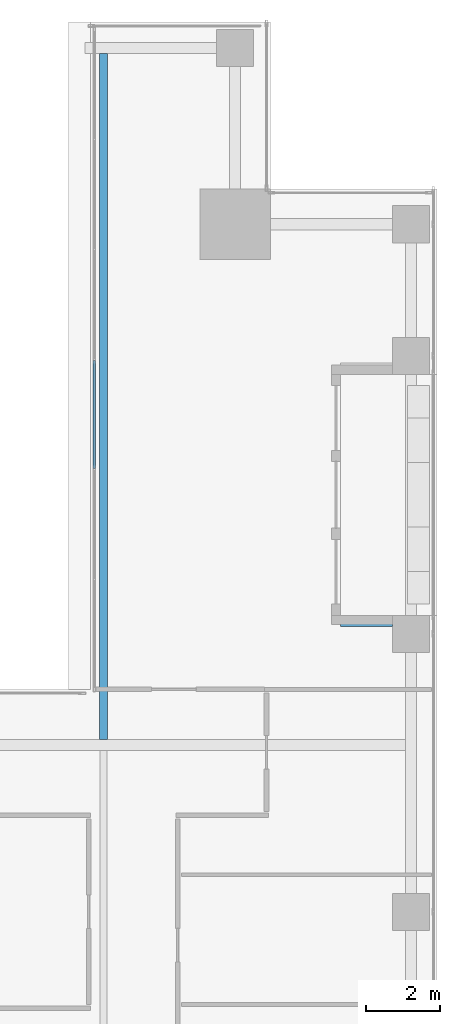
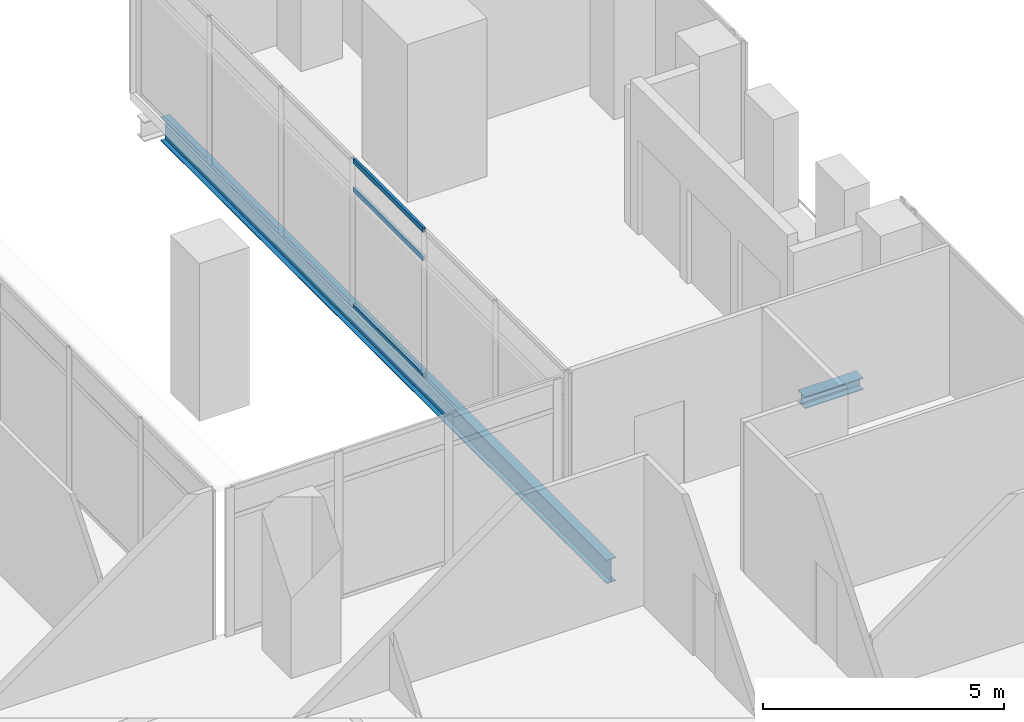
# One storey, part 25 of 40: 3 members, 2 beams, 1 element without a shape of its own.
"""IFC4 building model written with IfcOpenShell, lengths in metres."""

from ifc_helpers import new_model, si_unit, direction, frame, origin, origin_2d, place, context, subcontext, project, spatial, hollow_rectangle, i_section, extrude, source, transform, mapped, material, material_profile, profile_set, type_object, element, aggregate, save


model = new_model("IFC4")

# Units and contexts
model_context = context("Model", 3, precision=1e-05, world=origin(), true_north=direction((0.0, 1.0)))
body_context = subcontext(model_context, "Body", "Model", "MODEL_VIEW")
ifc_project = project(units=[si_unit("LENGTHUNIT", "METRE"), si_unit("AREAUNIT", "SQUARE_METRE"), si_unit("VOLUMEUNIT", "CUBIC_METRE"), si_unit("PLANEANGLEUNIT", "RADIAN"), si_unit("MASSUNIT", "GRAM", prefix="KILO")], contexts=[model_context])

# Site, building, storey
site_placement = place(None, origin())
site = spatial("IfcSite", under=ifc_project, at=site_placement, CompositionType="ELEMENT")
building_placement = place(site_placement, origin())
building = spatial("IfcBuilding", under=site, at=building_placement, Name="Khomas Fold Tower", CompositionType="ELEMENT")
storey_placement = place(building_placement, frame((0.0, 0.0, 180.699951171875)))
storey = spatial("IfcBuildingStorey", under=building, at=storey_placement, Name="L39", CompositionType="ELEMENT", Elevation=180.699951171875)

# Beams
ifc_material_1 = material(Name="Steel S355", Category="steel")
ifc_material_profile_1 = material_profile(ifc_material_1, i_section(OverallWidth=0.300048828125, OverallDepth=0.300048828125, WebThickness=0.010986328125, FlangeThickness=0.01904296875, at=origin_2d()), Name="HE 300 B")
ifc_profile_set_1 = profile_set([ifc_material_profile_1], Name="Steel S355")
beam_type_1 = type_object("IfcBeamType", Name="HE 300 B beam BB1", PredefinedType="BEAM", material=ifc_profile_set_1)
shared_shape_1 = source(origin(), body_context, "Body", "SweptSolid", [
    extrude(i_section(OverallWidth=0.300048828125, OverallDepth=0.300048828125, WebThickness=0.010986328125, FlangeThickness=0.01904296875, at=origin_2d()), origin(), (0.0, 0.0, 1.0), 1.400146484375),
])
beam_1_placement = place(storey_placement, frame((48.39990234375, 34.85009765625, -0.39990234375), z_axis=(1.0, 0.0, 0.0), x_axis=(0.0, 1.0, 0.0)))
element("IfcBeam", 1, at=beam_1_placement, inside=storey, type_object=beam_type_1, Name="BB1", PredefinedType="BEAM", context=body_context, shape_type="MappedRepresentation", body=[
    mapped(shared_shape_1, transform((0.0, 0.0, 0.0))),
])
ifc_material_2 = material(Name="Steel S355", Category="steel")
ifc_material_profile_2 = material_profile(ifc_material_2, i_section(OverallWidth=0.219970703125, OverallDepth=0.60009765625, WebThickness=0.011962890625, FlangeThickness=0.01904296875, at=origin_2d()), Name="IPE 600")
ifc_profile_set_2 = profile_set([ifc_material_profile_2], Name="Steel S355")
beam_type_2 = type_object("IfcBeamType", Name="IPE 600 beam JB7", PredefinedType="BEAM", material=ifc_profile_set_2)
shared_shape_2 = source(origin(), body_context, "Body", "SweptSolid", [
    extrude(i_section(OverallWidth=0.219970703125, OverallDepth=0.60009765625, WebThickness=0.011962890625, FlangeThickness=0.01904296875, at=origin_2d()), origin(), (0.0, 0.0, 1.0), 18.5),
])
beam_2_placement = place(storey_placement, frame((42.0, 31.64990234375, -0.550048828125), z_axis=(0.0, 1.0, 0.0), x_axis=(-1.0, 0.0, 0.0)))
element("IfcBeam", 2, at=beam_2_placement, inside=storey, type_object=beam_type_2, Name="JB7", PredefinedType="BEAM", context=body_context, shape_type="MappedRepresentation", body=[
    mapped(shared_shape_2, transform((0.0, 0.0, 0.0))),
])

# Curtain wall, members
ifc_material_3 = material(Name="Aluminium framed double glazing", Category="aluminium")
curtain_wall_type = type_object("IfcCurtainWallType", Name="Notch glazing GN-CW", PredefinedType="NOTDEFINED", material=ifc_material_3)
curtain_wall_placement = place(storey_placement, origin())
curtain_wall = element("IfcCurtainWall", 3, at=curtain_wall_placement, inside=storey, type_object=curtain_wall_type, Name="Notch glazing run", PredefinedType="NOTDEFINED")
ifc_material_4 = material(Name="Aluminium", Category="aluminium")
ifc_material_profile_3 = material_profile(ifc_material_4, hollow_rectangle(XDim=0.06005859375, YDim=0.1201171875, WallThickness=0.00390625, at=origin_2d()), Name="Notch glazing transom GN-CW-T")
ifc_profile_set_3 = profile_set([ifc_material_profile_3], Name="Aluminium")
member_type = type_object("IfcMemberType", Name="Notch glazing transom GN-CW-T", PredefinedType="USERDEFINED", material=ifc_profile_set_3)
shared_shape_3 = source(origin(), body_context, "Body", "SweptSolid", [
    extrude(hollow_rectangle(XDim=0.06005859375, YDim=0.1201171875, WallThickness=0.00390625, at=origin_2d()), origin(), (0.0, 0.0, 1.0), 2.90673828125),
])
member_1_placement = place(storey_placement, frame((41.75, 41.8701171875, 0.030029296875), z_axis=(0.0, -1.0, 0.0), x_axis=(1.0, 0.0, 0.0)))
member_1 = element("IfcMember", 4, at=member_1_placement, type_object=member_type, Name="GN-CW transom 4.1", ObjectType="TRANSOM", PredefinedType="USERDEFINED", context=body_context, shape_type="MappedRepresentation", body=[
    mapped(shared_shape_3, transform((0.0, 0.0, 0.0))),
])
member_2_placement = place(storey_placement, frame((41.75, 41.8701171875, 3.0), z_axis=(0.0, -1.0, 0.0), x_axis=(1.0, 0.0, 0.0)))
member_2 = element("IfcMember", 5, at=member_2_placement, type_object=member_type, Name="GN-CW transom 4.2", ObjectType="TRANSOM", PredefinedType="USERDEFINED", context=body_context, shape_type="MappedRepresentation", body=[
    mapped(shared_shape_3, transform((0.0, 0.0, 0.0))),
])
member_3_placement = place(storey_placement, frame((41.75, 41.8701171875, 3.719970703125), z_axis=(0.0, -1.0, 0.0), x_axis=(1.0, 0.0, 0.0)))
member_3 = element("IfcMember", 6, at=member_3_placement, type_object=member_type, Name="GN-CW transom 4.3", ObjectType="TRANSOM", PredefinedType="USERDEFINED", context=body_context, shape_type="MappedRepresentation", body=[
    mapped(shared_shape_3, transform((0.0, 0.0, 0.0))),
])
aggregate(curtain_wall, [member_1, member_2, member_3])

save(model, "model.ifc")
